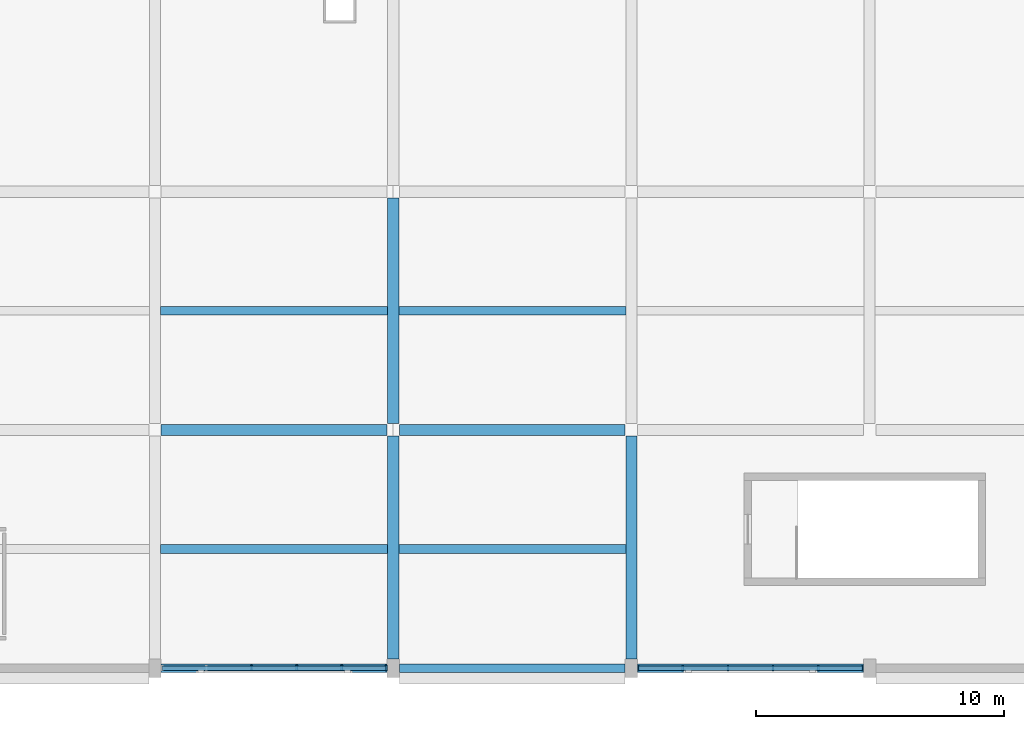
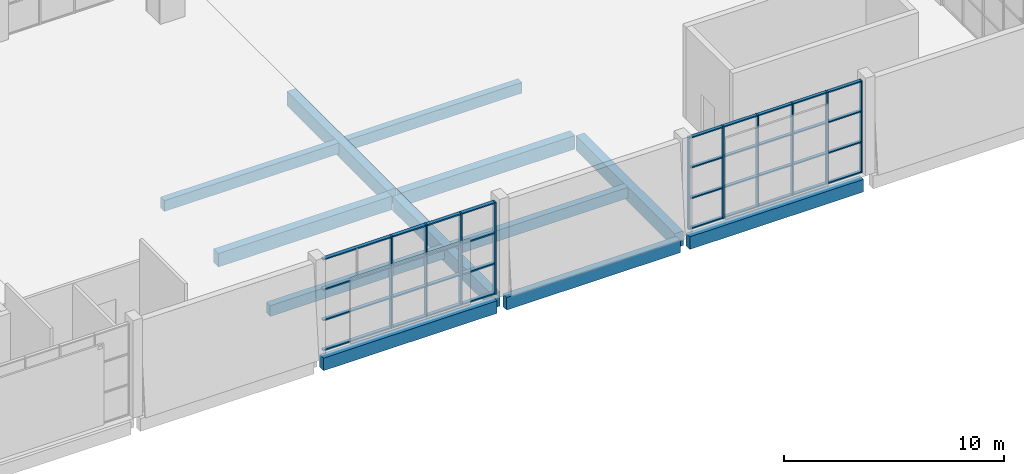
# One storey, part 6 of 72: 18 members, 12 beams, 2 elements without a shape of their own.
"""IFC4 building model written with IfcOpenShell, lengths in metres."""

from ifc_helpers import new_model, si_unit, direction, frame, origin, origin_2d, place, context, subcontext, project, spatial, rectangle, extrude, material, material_profile, profile_set, type_object, element, aggregate, save


model = new_model("IFC4")

# Units and contexts
model_context = context("Model", 3, precision=1e-05, world=origin(), true_north=direction((0.0, 1.0)))
body_context = subcontext(model_context, "Body", "Model", "MODEL_VIEW")
ifc_project = project(units=[si_unit("LENGTHUNIT", "METRE"), si_unit("AREAUNIT", "SQUARE_METRE"), si_unit("VOLUMEUNIT", "CUBIC_METRE"), si_unit("PLANEANGLEUNIT", "RADIAN"), si_unit("MASSUNIT", "GRAM", prefix="KILO")], contexts=[model_context])

# Site, building, storey
site_placement = place(None, origin())
site = spatial("IfcSite", under=ifc_project, at=site_placement, CompositionType="ELEMENT")
building_placement = place(site_placement, origin())
building = spatial("IfcBuilding", under=site, at=building_placement, Name="Shalvenor Court Art Gallery", CompositionType="ELEMENT")
storey_placement = place(building_placement, frame((0.0, 0.0, 11.39990234375)))
storey = spatial("IfcBuildingStorey", under=building, at=storey_placement, Name="L02", CompositionType="ELEMENT", Elevation=11.39990234375)

# Beams
ifc_material_1 = material(Name="Concrete C40/50", Category="concrete")
ifc_material_profile_1 = material_profile(ifc_material_1, rectangle(XDim=0.449951171875, YDim=0.800048828125, at=origin_2d()), Name="RC 450x800")
ifc_profile_set_1 = profile_set([ifc_material_profile_1], Name="Concrete C40/50")
beam_type_1 = type_object("IfcBeamType", Name="B-03", PredefinedType="BEAM", material=ifc_profile_set_1)
beam_1_placement = place(storey_placement, frame((38.39990234375, 0.375, -0.719970703125), z_axis=(0.0, 1.0, 0.0), x_axis=(-1.0, 0.0, 0.0)))
element("IfcBeam", 1, at=beam_1_placement, inside=storey, type_object=beam_type_1, Name="L02 Girder BM-L02-B-03-0715", PredefinedType="BEAM", context=body_context, shape_type="SweptSolid", body=[
    extrude(rectangle(XDim=0.449951171875, YDim=0.800048828125, at=origin_2d()), origin(), (0.0, 0.0, 1.0), 8.97509765625),
])
beam_2_placement = place(storey_placement, frame((38.39990234375, 9.85009765625, -0.719970703125), z_axis=(0.0, 1.0, 0.0), x_axis=(-1.0, 0.0, 0.0)))
element("IfcBeam", 2, at=beam_2_placement, inside=storey, type_object=beam_type_1, Name="L02 Girder BM-L02-B-03-0716", PredefinedType="BEAM", context=body_context, shape_type="SweptSolid", body=[
    extrude(rectangle(XDim=0.449951171875, YDim=0.800048828125, at=origin_2d()), origin(), (0.0, 0.0, 1.0), 9.099853515625),
])
beam_3_placement = place(storey_placement, frame((48.0, 0.375, -0.719970703125), z_axis=(0.0, 1.0, 0.0), x_axis=(-1.0, 0.0, 0.0)))
element("IfcBeam", 3, at=beam_3_placement, inside=storey, type_object=beam_type_1, Name="L02 Girder BM-L02-B-03-0723", PredefinedType="BEAM", context=body_context, shape_type="SweptSolid", body=[
    extrude(rectangle(XDim=0.449951171875, YDim=0.800048828125, at=origin_2d()), origin(), (0.0, 0.0, 1.0), 8.97509765625),
])
ifc_material_2 = material(Name="Concrete C40/50", Category="concrete")
ifc_material_profile_2 = material_profile(ifc_material_2, rectangle(XDim=0.449951171875, YDim=0.75, at=origin_2d()), Name="RC 450x750")
ifc_profile_set_2 = profile_set([ifc_material_profile_2], Name="Concrete C40/50")
beam_type_2 = type_object("IfcBeamType", Name="B-04", PredefinedType="BEAM", material=ifc_profile_set_2)
beam_4_placement = place(storey_placement, frame((29.050048828125, 9.60009765625, -0.69482421875), z_axis=(1.0, 0.0, 0.0), x_axis=(0.0, 1.0, 0.0)))
element("IfcBeam", 4, at=beam_4_placement, inside=storey, type_object=beam_type_2, Name="L02 Girder BM-L02-B-04-0810", PredefinedType="BEAM", context=body_context, shape_type="SweptSolid", body=[
    extrude(rectangle(XDim=0.449951171875, YDim=0.75, at=origin_2d()), origin(), (0.0, 0.0, 1.0), 9.099853515625),
])
beam_5_placement = place(storey_placement, frame((38.64990234375, 9.60009765625, -0.69482421875), z_axis=(1.0, 0.0, 0.0), x_axis=(0.0, 1.0, 0.0)))
element("IfcBeam", 5, at=beam_5_placement, inside=storey, type_object=beam_type_2, Name="L02 Girder BM-L02-B-04-0811", PredefinedType="BEAM", context=body_context, shape_type="SweptSolid", body=[
    extrude(rectangle(XDim=0.449951171875, YDim=0.75, at=origin_2d()), origin(), (0.0, 0.0, 1.0), 9.10009765625),
])

# Curtain wall, members
ifc_material_3 = material(Name="Anodised aluminium and low-iron glass curtain wall", Category="aluminium")
curtain_wall_type_1 = type_object("IfcCurtainWallType", Name="CW-5x3-91-51-221", PredefinedType="USERDEFINED", material=ifc_material_3)
curtain_wall_1_placement = place(storey_placement, origin())
curtain_wall_1 = element("IfcCurtainWall", 6, at=curtain_wall_1_placement, inside=storey, type_object=curtain_wall_type_1, Name="L02 V4 Curtain Wall CW-L02-145", ObjectType="CURTAIN WALL", PredefinedType="USERDEFINED")
ifc_material_4 = material(Name="Anodised aluminium mullion", Category="aluminium")
ifc_material_profile_3 = material_profile(ifc_material_4, rectangle(XDim=0.070068359375, YDim=0.199951171875, at=origin_2d()), Name="CWM-02")
ifc_profile_set_3 = profile_set([ifc_material_profile_3], Name="Anodised aluminium mullion")
member_type_1 = type_object("IfcMemberType", Name="CWM-02", PredefinedType="MULLION", material=ifc_profile_set_3)
member_1_placement = place(storey_placement, frame((57.31494140625, 0.0, 0.0), z_axis=(0.0, 0.0, 1.0), x_axis=(-1.0, 0.0, 0.0)))
member_1 = element("IfcMember", 7, at=member_1_placement, type_object=member_type_1, Name="CW-5x3-91-51-221 mullion 1", PredefinedType="MULLION", context=body_context, shape_type="SweptSolid", body=[
    extrude(rectangle(XDim=0.070068359375, YDim=0.199951171875, at=origin_2d()), origin(), (0.0, 0.0, 1.0), 5.10009765625),
])
member_2_placement = place(storey_placement, frame((55.530029296875, 0.0, 0.0), z_axis=(0.0, 0.0, 1.0), x_axis=(-1.0, 0.0, 0.0)))
member_2 = element("IfcMember", 8, at=member_2_placement, type_object=member_type_1, Name="CW-5x3-91-51-221 mullion 2", PredefinedType="MULLION", context=body_context, shape_type="SweptSolid", body=[
    extrude(rectangle(XDim=0.070068359375, YDim=0.199951171875, at=origin_2d()), origin(), (0.0, 0.0, 1.0), 5.10009765625),
])
member_3_placement = place(storey_placement, frame((53.7099609375, 0.0, 0.0), z_axis=(0.0, 0.0, 1.0), x_axis=(-1.0, 0.0, 0.0)))
member_3 = element("IfcMember", 9, at=member_3_placement, type_object=member_type_1, Name="CW-5x3-91-51-221 mullion 3", PredefinedType="MULLION", context=body_context, shape_type="SweptSolid", body=[
    extrude(rectangle(XDim=0.070068359375, YDim=0.199951171875, at=origin_2d()), origin(), (0.0, 0.0, 1.0), 5.10009765625),
])
member_4_placement = place(storey_placement, frame((51.889892578125, 0.0, 0.0), z_axis=(0.0, 0.0, 1.0), x_axis=(-1.0, 0.0, 0.0)))
member_4 = element("IfcMember", 10, at=member_4_placement, type_object=member_type_1, Name="CW-5x3-91-51-221 mullion 4", PredefinedType="MULLION", context=body_context, shape_type="SweptSolid", body=[
    extrude(rectangle(XDim=0.070068359375, YDim=0.199951171875, at=origin_2d()), origin(), (0.0, 0.0, 1.0), 5.10009765625),
])
member_5_placement = place(storey_placement, frame((50.070068359375, 0.0, 0.0), z_axis=(0.0, 0.0, 1.0), x_axis=(-1.0, 0.0, 0.0)))
member_5 = element("IfcMember", 11, at=member_5_placement, type_object=member_type_1, Name="CW-5x3-91-51-221 mullion 5", PredefinedType="MULLION", context=body_context, shape_type="SweptSolid", body=[
    extrude(rectangle(XDim=0.070068359375, YDim=0.199951171875, at=origin_2d()), origin(), (0.0, 0.0, 1.0), 5.10009765625),
])
member_6_placement = place(storey_placement, frame((48.284912109375, 0.0, 0.0), z_axis=(0.0, 0.0, 1.0), x_axis=(-1.0, 0.0, 0.0)))
member_6 = element("IfcMember", 12, at=member_6_placement, type_object=member_type_1, Name="CW-5x3-91-51-221 mullion 6", PredefinedType="MULLION", context=body_context, shape_type="SweptSolid", body=[
    extrude(rectangle(XDim=0.070068359375, YDim=0.199951171875, at=origin_2d()), origin(), (0.0, 0.0, 1.0), 5.10009765625),
])

ifc_material_5 = material(Name="Anodised aluminium and low-iron glass curtain wall", Category="aluminium")
curtain_wall_type_2 = type_object("IfcCurtainWallType", Name="CW-5x3-91-51-441", PredefinedType="USERDEFINED", material=ifc_material_5)
curtain_wall_2_placement = place(storey_placement, origin())
curtain_wall_2 = element("IfcCurtainWall", 13, at=curtain_wall_2_placement, inside=storey, type_object=curtain_wall_type_2, Name="L02 V4 Curtain Wall CW-L02-146", ObjectType="CURTAIN WALL", PredefinedType="USERDEFINED")
ifc_material_6 = material(Name="Anodised aluminium mullion", Category="aluminium")
ifc_material_profile_4 = material_profile(ifc_material_6, rectangle(XDim=0.074951171875, YDim=0.219970703125, at=origin_2d()), Name="CWM-04")
ifc_profile_set_4 = profile_set([ifc_material_profile_4], Name="Anodised aluminium mullion")
member_type_2 = type_object("IfcMemberType", Name="CWM-04", PredefinedType="MULLION", material=ifc_profile_set_4)
member_7_placement = place(storey_placement, frame((38.112548828125, 0.0, 0.0), z_axis=(0.0, 0.0, 1.0), x_axis=(-1.0, 0.0, 0.0)))
member_7 = element("IfcMember", 14, at=member_7_placement, type_object=member_type_2, Name="CW-5x3-91-51-441 mullion 1", PredefinedType="MULLION", context=body_context, shape_type="SweptSolid", body=[
    extrude(rectangle(XDim=0.074951171875, YDim=0.219970703125, at=origin_2d()), origin(), (0.0, 0.0, 1.0), 5.10009765625),
])
member_8_placement = place(storey_placement, frame((36.330078125, 0.0, 0.0), z_axis=(0.0, 0.0, 1.0), x_axis=(-1.0, 0.0, 0.0)))
member_8 = element("IfcMember", 15, at=member_8_placement, type_object=member_type_2, Name="CW-5x3-91-51-441 mullion 2", PredefinedType="MULLION", context=body_context, shape_type="SweptSolid", body=[
    extrude(rectangle(XDim=0.074951171875, YDim=0.219970703125, at=origin_2d()), origin(), (0.0, 0.0, 1.0), 5.10009765625),
])
member_9_placement = place(storey_placement, frame((34.510009765625, 0.0, 0.0), z_axis=(0.0, 0.0, 1.0), x_axis=(-1.0, 0.0, 0.0)))
member_9 = element("IfcMember", 16, at=member_9_placement, type_object=member_type_2, Name="CW-5x3-91-51-441 mullion 3", PredefinedType="MULLION", context=body_context, shape_type="SweptSolid", body=[
    extrude(rectangle(XDim=0.074951171875, YDim=0.219970703125, at=origin_2d()), origin(), (0.0, 0.0, 1.0), 5.10009765625),
])
member_10_placement = place(storey_placement, frame((32.68994140625, 0.0, 0.0), z_axis=(0.0, 0.0, 1.0), x_axis=(-1.0, 0.0, 0.0)))
member_10 = element("IfcMember", 17, at=member_10_placement, type_object=member_type_2, Name="CW-5x3-91-51-441 mullion 4", PredefinedType="MULLION", context=body_context, shape_type="SweptSolid", body=[
    extrude(rectangle(XDim=0.074951171875, YDim=0.219970703125, at=origin_2d()), origin(), (0.0, 0.0, 1.0), 5.10009765625),
])

# Member
ifc_material_7 = material(Name="Anodised aluminium transom", Category="aluminium")
ifc_material_profile_5 = material_profile(ifc_material_7, rectangle(XDim=0.169921875, YDim=0.06494140625, at=origin_2d()), Name="CWT-02")
ifc_profile_set_5 = profile_set([ifc_material_profile_5], Name="Anodised aluminium transom")
member_type_3 = type_object("IfcMemberType", Name="CWT-02", PredefinedType="USERDEFINED", material=ifc_profile_set_5)
member_11_placement = place(storey_placement, frame((57.31494140625, 0.0, 0.03271484375), z_axis=(-1.0, 0.0, 0.0), x_axis=(0.0, -1.0, 0.0)))
member_11 = element("IfcMember", 18, at=member_11_placement, type_object=member_type_3, Name="CW-5x3-91-51-221 transom 1", ObjectType="TRANSOM", PredefinedType="USERDEFINED", context=body_context, shape_type="SweptSolid", body=[
    extrude(rectangle(XDim=0.169921875, YDim=0.06494140625, at=origin_2d()), origin(), (0.0, 0.0, 1.0), 9.030029296875),
])

member_12_placement = place(storey_placement, frame((57.31494140625, 0.0, 1.7001953125), z_axis=(-1.0, 0.0, 0.0), x_axis=(0.0, -1.0, 0.0)))
member_12 = element("IfcMember", 19, at=member_12_placement, type_object=member_type_3, Name="CW-5x3-91-51-221 transom 2", ObjectType="TRANSOM", PredefinedType="USERDEFINED", context=body_context, shape_type="SweptSolid", body=[
    extrude(rectangle(XDim=0.169921875, YDim=0.06494140625, at=origin_2d()), origin(), (0.0, 0.0, 1.0), 9.030029296875),
])

member_13_placement = place(storey_placement, frame((57.31494140625, 0.0, 3.400146484375), z_axis=(-1.0, 0.0, 0.0), x_axis=(0.0, -1.0, 0.0)))
member_13 = element("IfcMember", 20, at=member_13_placement, type_object=member_type_3, Name="CW-5x3-91-51-221 transom 3", ObjectType="TRANSOM", PredefinedType="USERDEFINED", context=body_context, shape_type="SweptSolid", body=[
    extrude(rectangle(XDim=0.169921875, YDim=0.06494140625, at=origin_2d()), origin(), (0.0, 0.0, 1.0), 9.030029296875),
])

member_14_placement = place(storey_placement, frame((57.31494140625, 0.0, 5.067626953125), z_axis=(-1.0, 0.0, 0.0), x_axis=(0.0, -1.0, 0.0)))
member_14 = element("IfcMember", 21, at=member_14_placement, type_object=member_type_3, Name="CW-5x3-91-51-221 transom 4", ObjectType="TRANSOM", PredefinedType="USERDEFINED", context=body_context, shape_type="SweptSolid", body=[
    extrude(rectangle(XDim=0.169921875, YDim=0.06494140625, at=origin_2d()), origin(), (0.0, 0.0, 1.0), 9.030029296875),
])

aggregate(curtain_wall_1, [member_1, member_2, member_3, member_4, member_5, member_6, member_11, member_12, member_13, member_14])

ifc_material_8 = material(Name="Anodised aluminium transom", Category="aluminium")
ifc_material_profile_6 = material_profile(ifc_material_8, rectangle(XDim=0.18994140625, YDim=0.070068359375, at=origin_2d()), Name="CWT-04")
ifc_profile_set_6 = profile_set([ifc_material_profile_6], Name="Anodised aluminium transom")
member_type_4 = type_object("IfcMemberType", Name="CWT-04", PredefinedType="USERDEFINED", material=ifc_profile_set_6)
member_15_placement = place(storey_placement, frame((38.112548828125, 0.0, 0.03515625), z_axis=(-1.0, 0.0, 0.0), x_axis=(0.0, -1.0, 0.0)))
member_15 = element("IfcMember", 22, at=member_15_placement, type_object=member_type_4, Name="CW-5x3-91-51-441 transom 1", ObjectType="TRANSOM", PredefinedType="USERDEFINED", context=body_context, shape_type="SweptSolid", body=[
    extrude(rectangle(XDim=0.18994140625, YDim=0.070068359375, at=origin_2d()), origin(), (0.0, 0.0, 1.0), 9.025146484375),
])

member_16_placement = place(storey_placement, frame((38.112548828125, 0.0, 1.7001953125), z_axis=(-1.0, 0.0, 0.0), x_axis=(0.0, -1.0, 0.0)))
member_16 = element("IfcMember", 23, at=member_16_placement, type_object=member_type_4, Name="CW-5x3-91-51-441 transom 2", ObjectType="TRANSOM", PredefinedType="USERDEFINED", context=body_context, shape_type="SweptSolid", body=[
    extrude(rectangle(XDim=0.18994140625, YDim=0.070068359375, at=origin_2d()), origin(), (0.0, 0.0, 1.0), 9.025146484375),
])

member_17_placement = place(storey_placement, frame((38.112548828125, 0.0, 3.400146484375), z_axis=(-1.0, 0.0, 0.0), x_axis=(0.0, -1.0, 0.0)))
member_17 = element("IfcMember", 24, at=member_17_placement, type_object=member_type_4, Name="CW-5x3-91-51-441 transom 3", ObjectType="TRANSOM", PredefinedType="USERDEFINED", context=body_context, shape_type="SweptSolid", body=[
    extrude(rectangle(XDim=0.18994140625, YDim=0.070068359375, at=origin_2d()), origin(), (0.0, 0.0, 1.0), 9.025146484375),
])

member_18_placement = place(storey_placement, frame((38.112548828125, 0.0, 5.065185546875), z_axis=(-1.0, 0.0, 0.0), x_axis=(0.0, -1.0, 0.0)))
member_18 = element("IfcMember", 25, at=member_18_placement, type_object=member_type_4, Name="CW-5x3-91-51-441 transom 4", ObjectType="TRANSOM", PredefinedType="USERDEFINED", context=body_context, shape_type="SweptSolid", body=[
    extrude(rectangle(XDim=0.18994140625, YDim=0.070068359375, at=origin_2d()), origin(), (0.0, 0.0, 1.0), 9.025146484375),
])

aggregate(curtain_wall_2, [member_7, member_8, member_9, member_10, member_15, member_16, member_17, member_18])

# Beams
ifc_material_9 = material(Name="Concrete C40/50", Category="concrete")
ifc_material_profile_7 = material_profile(ifc_material_9, rectangle(XDim=0.35009765625, YDim=0.60009765625, at=origin_2d()), Name="RC 350x600")
ifc_profile_set_7 = profile_set([ifc_material_profile_7], Name="Concrete C40/50")
beam_type_3 = type_object("IfcBeamType", Name="J-01", PredefinedType="JOIST", material=ifc_profile_set_7)
for number, where, z_axis, x_axis, name in (
    (26, (29.02490234375, 4.800048828125, -0.619873046875), (1.0, 0.0, 0.0), (0.0, 1.0, 0.0), "L02 Secondary Beam JST-L02-J-01-0921"),
    (27, (29.02490234375, 14.39990234375, -0.619873046875), (1.0, 0.0, 0.0), (0.0, 1.0, 0.0), "L02 Secondary Beam JST-L02-J-01-0922"),
):
    element("IfcBeam", number, at=place(storey_placement, frame(where, z_axis=z_axis, x_axis=x_axis)), inside=storey, type_object=beam_type_3, Name=name, PredefinedType="JOIST", context=body_context, shape_type="SweptSolid", body=[
        extrude(rectangle(XDim=0.35009765625, YDim=0.60009765625, at=origin_2d()), origin(), (0.0, 0.0, 1.0), 9.150146484375),
    ])
for number, where, z_axis, x_axis, name in (
    (28, (38.625, 4.800048828125, -0.619873046875), (1.0, 0.0, 0.0), (0.0, 1.0, 0.0), "L02 Secondary Beam JST-L02-J-01-0923"),
    (29, (38.625, 14.39990234375, -0.619873046875), (1.0, 0.0, 0.0), (0.0, 1.0, 0.0), "L02 Secondary Beam JST-L02-J-01-0924"),
):
    element("IfcBeam", number, at=place(storey_placement, frame(where, z_axis=z_axis, x_axis=x_axis)), inside=storey, type_object=beam_type_3, Name=name, PredefinedType="JOIST", context=body_context, shape_type="SweptSolid", body=[
        extrude(rectangle(XDim=0.35009765625, YDim=0.60009765625, at=origin_2d()), origin(), (0.0, 0.0, 1.0), 9.14990234375),
    ])
ifc_material_10 = material(Name="Concrete C40/50", Category="concrete")
ifc_material_profile_8 = material_profile(ifc_material_10, rectangle(XDim=0.35009765625, YDim=0.699951171875, at=origin_2d()), Name="RC 350x700")
ifc_profile_set_8 = profile_set([ifc_material_profile_8], Name="Concrete C40/50")
beam_type_4 = type_object("IfcBeamType", Name="SP-01", PredefinedType="SPANDREL", material=ifc_profile_set_8)
beam_6_placement = place(storey_placement, frame((29.050048828125, 0.0, -0.669921875), z_axis=(1.0, 0.0, 0.0), x_axis=(0.0, 1.0, 0.0)))
element("IfcBeam", 30, at=beam_6_placement, inside=storey, type_object=beam_type_4, Name="L02 Spandrel Girder BM-L02-SP-01-0800", PredefinedType="SPANDREL", context=body_context, shape_type="SweptSolid", body=[
    extrude(rectangle(XDim=0.35009765625, YDim=0.699951171875, at=origin_2d()), origin(), (0.0, 0.0, 1.0), 9.099853515625),
])
for number, where, z_axis, x_axis, name in (
    (31, (38.64990234375, 0.0, -0.669921875), (1.0, 0.0, 0.0), (0.0, 1.0, 0.0), "L02 Spandrel Girder BM-L02-SP-01-0801"),
    (32, (48.25, 0.0, -0.669921875), (1.0, 0.0, 0.0), (0.0, 1.0, 0.0), "L02 Spandrel Girder BM-L02-SP-01-0802"),
):
    element("IfcBeam", number, at=place(storey_placement, frame(where, z_axis=z_axis, x_axis=x_axis)), inside=storey, type_object=beam_type_4, Name=name, PredefinedType="SPANDREL", context=body_context, shape_type="SweptSolid", body=[
        extrude(rectangle(XDim=0.35009765625, YDim=0.699951171875, at=origin_2d()), origin(), (0.0, 0.0, 1.0), 9.10009765625),
    ])

save(model, "model.ifc")
